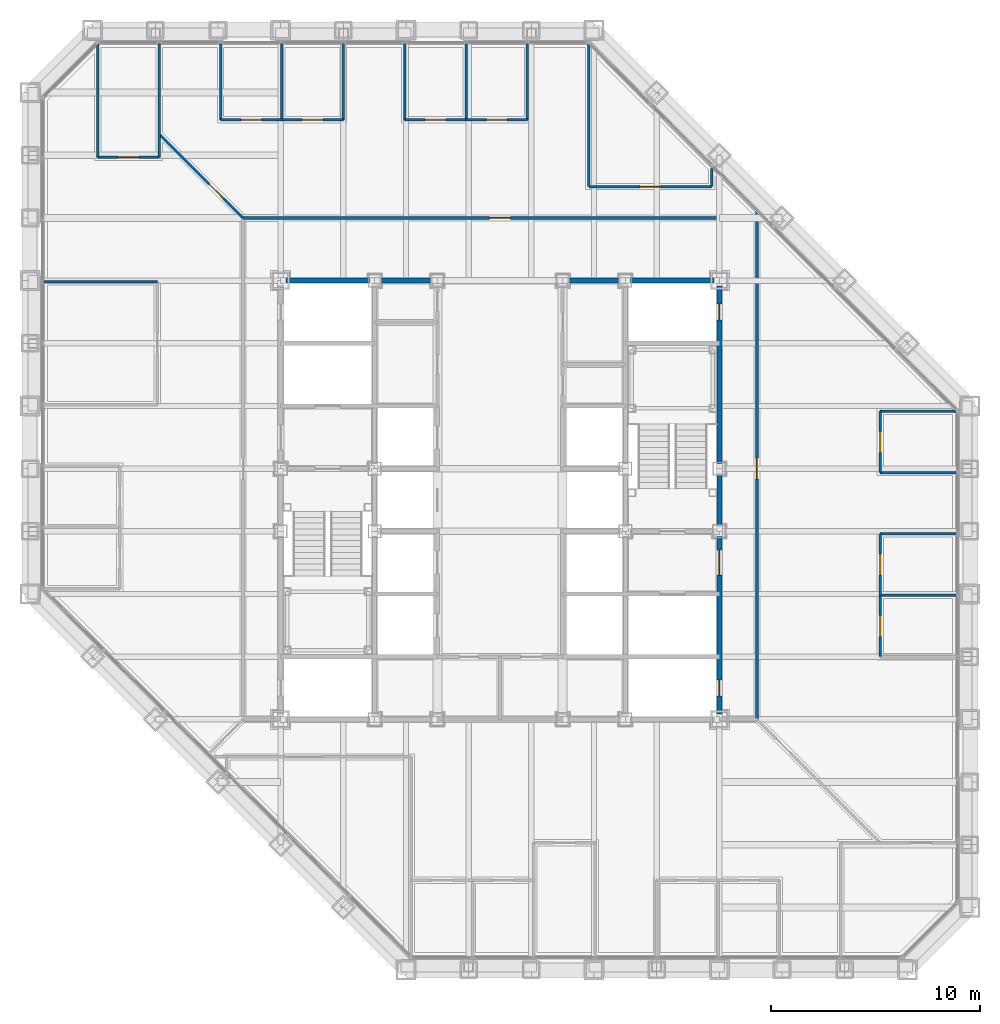
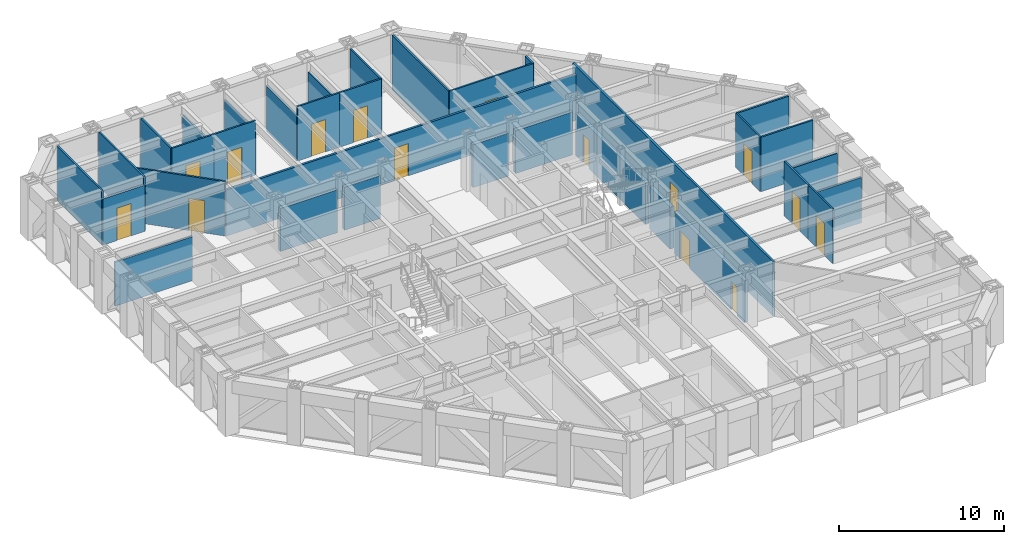
# One storey, part 12 of 17: 34 walls, 15 doors, 15 openings.
"""IFC4 building model written with IfcOpenShell, lengths in metres."""

from ifc_helpers import new_model, si_unit, direction, frame, frame_2d, origin, place, context, subcontext, project, spatial, rectangle, extrude, material, layer, layer_set, type_object, element, fill, save


model = new_model("IFC4")

# Units and contexts
model_context = context("Model", 3, precision=1e-05, world=origin(), true_north=direction((0.0, 1.0)))
body_context = subcontext(model_context, "Body", "Model", "MODEL_VIEW")
ifc_project = project(units=[si_unit("LENGTHUNIT", "METRE"), si_unit("AREAUNIT", "SQUARE_METRE"), si_unit("VOLUMEUNIT", "CUBIC_METRE"), si_unit("PLANEANGLEUNIT", "RADIAN"), si_unit("MASSUNIT", "GRAM", prefix="KILO")], contexts=[model_context])

# Site, building, storey
site_placement = place(None, origin())
site = spatial("IfcSite", under=ifc_project, at=site_placement, CompositionType="ELEMENT")
building_placement = place(site_placement, origin())
building = spatial("IfcBuilding", under=site, at=building_placement, Name="Chuquiago Exchange Tower", CompositionType="ELEMENT")
storey_placement = place(building_placement, frame((0.0, 0.0, 165.60009765625)))
storey = spatial("IfcBuildingStorey", under=building, at=storey_placement, Name="L36", CompositionType="ELEMENT", Elevation=165.60009765625)

# Walls
ifc_material_1 = material(Name="Concrete masonry, fully grouted", Category="masonry")
ifc_layer_1 = layer(ifc_material_1, 0.25)
ifc_layer_set_1 = layer_set([ifc_layer_1], Name="W1 core wall 250")
wall_type_1 = type_object("IfcWallType", Name="W1 core wall 250", PredefinedType="SOLIDWALL", material=ifc_layer_set_1)
wall_1_placement = place(storey_placement, frame((12.25, 33.0, 0.0), z_axis=(0.0, 0.0, 1.0), x_axis=(1.0, 0.0, 0.0)))
element("IfcWall", 1, at=wall_1_placement, inside=storey, type_object=wall_type_1, Name="CW-L36-11-0", PredefinedType="SOLIDWALL", context=body_context, shape_type="SweptSolid", body=[
    extrude(rectangle(XDim=4.0, YDim=0.25, at=frame_2d((2.0, 0.0))), origin(), (0.0, 0.0, 1.0), 3.181396484375),
])
for number, where, z_axis, x_axis, name in (
    (2, (16.75, 33.0, 0.0), (0.0, 0.0, 1.0), (1.0, 0.0, 0.0), "CW-L36-11-1"),
    (3, (25.75, 33.0, 0.0), (0.0, 0.0, 1.0), (1.0, 0.0, 0.0), "CW-L36-12-0"),
):
    element("IfcWall", number, at=place(storey_placement, frame(where, z_axis=z_axis, x_axis=x_axis)), inside=storey, type_object=wall_type_1, Name=name, PredefinedType="SOLIDWALL", context=body_context, shape_type="SweptSolid", body=[
        extrude(rectangle(XDim=2.5, YDim=0.25, at=frame_2d((1.25, 0.0))), origin(), (0.0, 0.0, 1.0), 3.181396484375),
    ])
wall_2_placement = place(storey_placement, frame((28.75, 33.0, 0.0), z_axis=(0.0, 0.0, 1.0), x_axis=(1.0, 0.0, 0.0)))
element("IfcWall", 4, at=wall_2_placement, inside=storey, type_object=wall_type_1, Name="CW-L36-12-1", PredefinedType="SOLIDWALL", context=body_context, shape_type="SweptSolid", body=[
    extrude(rectangle(XDim=4.0, YDim=0.25, at=frame_2d((2.0, 0.0))), origin(), (0.0, 0.0, 1.0), 3.181396484375),
])

# Wall, openings, doors
wall_3_placement = place(storey_placement, frame((33.0, 12.25, 0.0), z_axis=(0.0, 0.0, 1.0), x_axis=(0.0, 1.0, 0.0)))
wall_3 = element("IfcWall", 5, at=wall_3_placement, inside=storey, type_object=wall_type_1, Name="CW-L36-25-0", PredefinedType="SOLIDWALL", context=body_context, shape_type="SweptSolid", body=[
    extrude(rectangle(XDim=8.5, YDim=0.25, at=frame_2d((4.25, 0.0))), origin(), (0.0, 0.0, 1.0), 3.11279296875),
])
opening_1_placement = place(wall_3_placement, frame((6.64990234375, 0.0, 0.0)))
opening_1 = element("IfcOpeningElement", 6, at=opening_1_placement, cuts=wall_3, Name="Opening L36-004", PredefinedType="OPENING", context=body_context, shape_type="SweptSolid", body=[
    extrude(rectangle(XDim=1.199951171875, YDim=2.10009765625, at=frame_2d((0.60009765625, 1.050048828125))), frame((0.0, 0.135009765625, 0.0), z_axis=(0.0, -1.0, 0.0), x_axis=(1.0, 0.0, 0.0)), (0.0, 0.0, 1.0), 0.27001953125),
])
opening_2_placement = place(wall_3_placement, frame((0.875, 0.0, 0.0)))
opening_2 = element("IfcOpeningElement", 7, at=opening_2_placement, cuts=wall_3, Name="Opening L36-009", PredefinedType="OPENING", context=body_context, shape_type="SweptSolid", body=[
    extrude(rectangle(XDim=0.75, YDim=2.10009765625, at=frame_2d((0.375, 1.050048828125))), frame((0.0, 0.135009765625, 0.0), z_axis=(0.0, -1.0, 0.0), x_axis=(1.0, 0.0, 0.0)), (0.0, 0.0, 1.0), 0.27001953125),
])
ifc_material_2 = material(Name="Steel door, painted", Category="steel")
door_type_1 = type_object("IfcDoorType", Name="D5 firefighting lobby door 1200x2100", OperationType="SINGLE_SWING_LEFT", PredefinedType="DOOR", material=ifc_material_2)
door_1_placement = place(opening_1_placement, origin())
door_1 = element("IfcDoor", 8, at=door_1_placement, inside=storey, type_object=door_type_1, Name="Firefighting lobby 2 door", OperationType="SINGLE_SWING_RIGHT", OverallHeight=2.10009765625, OverallWidth=1.199951171875, PredefinedType="DOOR", context=body_context, shape_type="SweptSolid", body=[
    extrude(rectangle(XDim=1.199951171875, YDim=2.10009765625, at=frame_2d((0.60009765625, 1.050048828125))), frame((0.0, 0.02490234375, 0.0), z_axis=(0.0, -1.0, 0.0), x_axis=(1.0, 0.0, 0.0)), (0.0, 0.0, 1.0), 0.050048828125),
])
fill(opening_1, door_1)
ifc_material_3 = material(Name="Steel door, painted", Category="steel")
door_type_2 = type_object("IfcDoorType", Name="D6 riser access door 750x2100", OperationType="SINGLE_SWING_LEFT", PredefinedType="DOOR", material=ifc_material_3)
door_2_placement = place(opening_2_placement, origin())
door_2 = element("IfcDoor", 9, at=door_2_placement, inside=storey, type_object=door_type_2, Name="Riser RE1 door", OperationType="SINGLE_SWING_LEFT", OverallHeight=2.10009765625, OverallWidth=0.75, PredefinedType="DOOR", context=body_context, shape_type="SweptSolid", body=[
    extrude(rectangle(XDim=0.75, YDim=2.10009765625, at=frame_2d((0.375, 1.050048828125))), frame((0.0, 0.02490234375, 0.0), z_axis=(0.0, -1.0, 0.0), x_axis=(1.0, 0.0, 0.0)), (0.0, 0.0, 1.0), 0.050048828125),
])
fill(opening_2, door_2)

# Wall
wall_4_placement = place(storey_placement, frame((33.0, 21.25, 0.0), z_axis=(0.0, 0.0, 1.0), x_axis=(0.0, 1.0, 0.0)))
element("IfcWall", 10, at=wall_4_placement, inside=storey, type_object=wall_type_1, Name="CW-L36-25-1", PredefinedType="SOLIDWALL", context=body_context, shape_type="SweptSolid", body=[
    extrude(rectangle(XDim=2.5, YDim=0.25, at=frame_2d((1.25, 0.0))), origin(), (0.0, 0.0, 1.0), 3.11279296875),
])

# Wall, opening, door
wall_5_placement = place(storey_placement, frame((33.0, 24.25, 0.0), z_axis=(0.0, 0.0, 1.0), x_axis=(0.0, 1.0, 0.0)))
wall_5 = element("IfcWall", 11, at=wall_5_placement, inside=storey, type_object=wall_type_1, Name="CW-L36-25-2", PredefinedType="SOLIDWALL", context=body_context, shape_type="SweptSolid", body=[
    extrude(rectangle(XDim=8.5, YDim=0.25, at=frame_2d((4.25, 0.0))), origin(), (0.0, 0.0, 1.0), 3.11279296875),
])
opening_3_placement = place(wall_5_placement, frame((6.875, 0.0, 0.0)))
opening_3 = element("IfcOpeningElement", 12, at=opening_3_placement, cuts=wall_5, Name="Opening L36-010", PredefinedType="OPENING", context=body_context, shape_type="SweptSolid", body=[
    extrude(rectangle(XDim=0.75, YDim=2.10009765625, at=frame_2d((0.375, 1.050048828125))), frame((0.0, 0.135009765625, 0.0), z_axis=(0.0, -1.0, 0.0), x_axis=(1.0, 0.0, 0.0)), (0.0, 0.0, 1.0), 0.27001953125),
])
door_3_placement = place(opening_3_placement, origin())
door_3 = element("IfcDoor", 13, at=door_3_placement, inside=storey, type_object=door_type_2, Name="Riser RE2 door", OperationType="SINGLE_SWING_RIGHT", OverallHeight=2.10009765625, OverallWidth=0.75, PredefinedType="DOOR", context=body_context, shape_type="SweptSolid", body=[
    extrude(rectangle(XDim=0.75, YDim=2.10009765625, at=frame_2d((0.375, 1.050048828125))), frame((0.0, 0.02490234375, 0.0), z_axis=(0.0, -1.0, 0.0), x_axis=(1.0, 0.0, 0.0)), (0.0, 0.0, 1.0), 0.050048828125),
])
fill(opening_3, door_3)

ifc_material_4 = material(Name="Gypsum board on steel studs, acoustic insulation", Category="steel")
ifc_layer_2 = layer(ifc_material_4, 0.14990234375)
ifc_layer_set_2 = layer_set([ifc_layer_2], Name="W11 corridor wall 150")
wall_type_2 = type_object("IfcWallType", Name="W11 corridor wall 150", PredefinedType="PARTITIONING", material=ifc_layer_set_2)
wall_6_placement = place(storey_placement, frame((10.199951171875, 36.0, 0.0), z_axis=(0.0, 0.0, 1.0), x_axis=(1.0, 0.0, 0.0)))
wall_6 = element("IfcWall", 14, at=wall_6_placement, inside=storey, type_object=wall_type_2, Name="PW-L36-GN0", PredefinedType="PARTITIONING", context=body_context, shape_type="SweptSolid", body=[
    extrude(rectangle(XDim=24.91455078125, YDim=0.14990234375, at=frame_2d((12.457275390625, 0.0))), origin(), (0.0, 0.0, 1.0), 3.427734375),
])
opening_4_placement = place(wall_6_placement, frame((11.800048828125, 0.0, 0.0)))
opening_4 = element("IfcOpeningElement", 15, at=opening_4_placement, cuts=wall_6, Name="Opening L36-040", PredefinedType="OPENING", context=body_context, shape_type="SweptSolid", body=[
    extrude(rectangle(XDim=1.0, YDim=2.39990234375, at=frame_2d((0.5, 1.199951171875))), frame((0.0, 0.0849609375, 0.0), z_axis=(0.0, -1.0, 0.0), x_axis=(1.0, 0.0, 0.0)), (0.0, 0.0, 1.0), 0.169921875),
])
ifc_material_5 = material(Name="Timber door, laminate faced", Category="wood")
door_type_3 = type_object("IfcDoorType", Name="D9 room door 1000x2400", OperationType="SINGLE_SWING_LEFT", PredefinedType="DOOR", material=ifc_material_5)
door_4_placement = place(opening_4_placement, origin())
door_4 = element("IfcDoor", 16, at=door_4_placement, inside=storey, type_object=door_type_3, Name="Team area door", OperationType="SINGLE_SWING_LEFT", OverallHeight=2.39990234375, OverallWidth=1.0, PredefinedType="DOOR", context=body_context, shape_type="SweptSolid", body=[
    extrude(rectangle(XDim=1.0, YDim=2.39990234375, at=frame_2d((0.5, 1.199951171875))), frame((0.0, 0.02490234375, 0.0), z_axis=(0.0, -1.0, 0.0), x_axis=(1.0, 0.0, 0.0)), (0.0, 0.0, 1.0), 0.050048828125),
])
fill(opening_4, door_4)

wall_7_placement = place(storey_placement, frame((34.800048828125, 12.0, 0.0), z_axis=(0.0, 0.0, 1.0), x_axis=(0.0, 1.0, 0.0)))
wall_7 = element("IfcWall", 17, at=wall_7_placement, inside=storey, type_object=wall_type_2, Name="PW-L36-GE0", PredefinedType="PARTITIONING", context=body_context, shape_type="SweptSolid", body=[
    extrude(rectangle(XDim=24.314453125, YDim=0.14990234375, at=frame_2d((12.1572265625, 0.0))), origin(), (0.0, 0.0, 1.0), 4.039794921875),
])
opening_5_placement = place(wall_7_placement, frame((11.5, 0.0, 0.0)))
opening_5 = element("IfcOpeningElement", 18, at=opening_5_placement, cuts=wall_7, Name="Opening L36-042", PredefinedType="OPENING", context=body_context, shape_type="SweptSolid", body=[
    extrude(rectangle(XDim=1.0, YDim=2.39990234375, at=frame_2d((0.5, 1.199951171875))), frame((0.0, 0.0849609375, 0.0), z_axis=(0.0, -1.0, 0.0), x_axis=(1.0, 0.0, 0.0)), (0.0, 0.0, 1.0), 0.169921875),
])
door_5_placement = place(opening_5_placement, frame((1.0, 0.0, 0.0), z_axis=(0.0, 0.0, 1.0), x_axis=(-1.0, 0.0, 0.0)))
door_5 = element("IfcDoor", 19, at=door_5_placement, inside=storey, type_object=door_type_3, Name="Team area door", OperationType="SINGLE_SWING_RIGHT", OverallHeight=2.39990234375, OverallWidth=1.0, PredefinedType="DOOR", context=body_context, shape_type="SweptSolid", body=[
    extrude(rectangle(XDim=1.0, YDim=2.39990234375, at=frame_2d((0.5, 1.199951171875))), frame((0.0, 0.02490234375, 0.0), z_axis=(0.0, -1.0, 0.0), x_axis=(1.0, 0.0, 0.0)), (0.0, 0.0, 1.0), 0.050048828125),
])
fill(opening_5, door_5)

# Walls
ifc_material_6 = material(Name="Gypsum board on steel studs", Category="steel")
ifc_layer_3 = layer(ifc_material_6, 0.1201171875)
ifc_layer_set_3 = layer_set([ifc_layer_3], Name="W4 partition 120")
wall_type_3 = type_object("IfcWallType", Name="W4 partition 120", PredefinedType="PARTITIONING", material=ifc_layer_set_3)
for number, where, z_axis, x_axis, name in (
    (20, (44.347412109375, 17.93798828125, 0.0), (0.0, 0.0, 1.0), (-1.0, 0.0, 0.0), "PW-L36-E01794"),
    (21, (44.347412109375, 20.875732421875, 0.0), (0.0, 0.0, 1.0), (-1.0, 0.0, 0.0), "PW-L36-E02088"),
):
    element("IfcWall", number, at=place(storey_placement, frame(where, z_axis=z_axis, x_axis=x_axis)), inside=storey, type_object=wall_type_3, Name=name, PredefinedType="PARTITIONING", context=body_context, shape_type="SweptSolid", body=[
        extrude(rectangle(XDim=3.6474609375, YDim=0.1201171875, at=frame_2d((1.82373046875, 0.0))), origin(), (0.0, 0.0, 1.0), 3.356689453125),
    ])
wall_8_placement = place(storey_placement, frame((44.347412109375, 23.813720703125, 0.0), z_axis=(0.0, 0.0, 1.0), x_axis=(-1.0, 0.0, 0.0)))
element("IfcWall", 22, at=wall_8_placement, inside=storey, type_object=wall_type_3, Name="PW-L36-E02381", PredefinedType="PARTITIONING", context=body_context, shape_type="SweptSolid", body=[
    extrude(rectangle(XDim=3.6474609375, YDim=0.1201171875, at=frame_2d((1.82373046875, 0.0))), origin(), (0.0, 0.0, 1.0), 4.039794921875),
])
wall_9_placement = place(storey_placement, frame((44.333984375, 26.75146484375, 0.0), z_axis=(0.0, 0.0, 1.0), x_axis=(-1.0, 0.0, 0.0)))
element("IfcWall", 23, at=wall_9_placement, inside=storey, type_object=wall_type_3, Name="PW-L36-E02675", PredefinedType="PARTITIONING", context=body_context, shape_type="SweptSolid", body=[
    extrude(rectangle(XDim=3.634033203125, YDim=0.1201171875, at=frame_2d((1.81689453125, 0.0))), origin(), (0.0, 0.0, 1.0), 4.039794921875),
])

# Wall, opening, door
wall_10_placement = place(storey_placement, frame((40.699951171875, 15.0, 0.0), z_axis=(0.0, 0.0, 1.0), x_axis=(0.0, 1.0, 0.0)))
wall_10 = element("IfcWall", 24, at=wall_10_placement, inside=storey, type_object=wall_type_3, Name="PW-L36-EF01500", PredefinedType="PARTITIONING", context=body_context, shape_type="SweptSolid", body=[
    extrude(rectangle(XDim=2.93798828125, YDim=0.1201171875, at=frame_2d((1.468994140625, 0.0))), origin(), (0.0, 0.0, 1.0), 4.039794921875),
])
opening_6_placement = place(wall_10_placement, frame((0.968994140625, 0.0, 0.0)))
opening_6 = element("IfcOpeningElement", 25, at=opening_6_placement, cuts=wall_10, Name="Opening L36-028", PredefinedType="OPENING", context=body_context, shape_type="SweptSolid", body=[
    extrude(rectangle(XDim=1.0, YDim=2.39990234375, at=frame_2d((0.5, 1.199951171875))), frame((0.0, 0.070068359375, 0.0), z_axis=(0.0, -1.0, 0.0), x_axis=(1.0, 0.0, 0.0)), (0.0, 0.0, 1.0), 0.14013671875),
])
ifc_material_7 = material(Name="Timber frame door, full height glazed panel", Category="wood")
door_type_4 = type_object("IfcDoorType", Name="D14 glazed meeting room door 1000x2400", OperationType="SINGLE_SWING_LEFT", PredefinedType="DOOR", material=ifc_material_7)
door_6_placement = place(opening_6_placement, frame((1.0, 0.0, 0.0), z_axis=(0.0, 0.0, 1.0), x_axis=(-1.0, 0.0, 0.0)))
door_6 = element("IfcDoor", 26, at=door_6_placement, inside=storey, type_object=door_type_4, Name="Focus room door", OperationType="SINGLE_SWING_RIGHT", OverallHeight=2.39990234375, OverallWidth=1.0, PredefinedType="DOOR", context=body_context, shape_type="SweptSolid", body=[
    extrude(rectangle(XDim=1.0, YDim=2.39990234375, at=frame_2d((0.5, 1.199951171875))), frame((0.0, 0.02490234375, 0.0), z_axis=(0.0, -1.0, 0.0), x_axis=(1.0, 0.0, 0.0)), (0.0, 0.0, 1.0), 0.050048828125),
])
fill(opening_6, door_6)

wall_11_placement = place(storey_placement, frame((40.699951171875, 17.93798828125, 0.0), z_axis=(0.0, 0.0, 1.0), x_axis=(0.0, 1.0, 0.0)))
wall_11 = element("IfcWall", 27, at=wall_11_placement, inside=storey, type_object=wall_type_3, Name="PW-L36-EF01794", PredefinedType="PARTITIONING", context=body_context, shape_type="SweptSolid", body=[
    extrude(rectangle(XDim=2.937744140625, YDim=0.1201171875, at=frame_2d((1.46875, 0.0))), origin(), (0.0, 0.0, 1.0), 4.039794921875),
])
opening_7_placement = place(wall_11_placement, frame((0.968994140625, 0.0, 0.0)))
opening_7 = element("IfcOpeningElement", 28, at=opening_7_placement, cuts=wall_11, Name="Opening L36-029", PredefinedType="OPENING", context=body_context, shape_type="SweptSolid", body=[
    extrude(rectangle(XDim=1.0, YDim=2.39990234375, at=frame_2d((0.5, 1.199951171875))), frame((0.0, 0.070068359375, 0.0), z_axis=(0.0, -1.0, 0.0), x_axis=(1.0, 0.0, 0.0)), (0.0, 0.0, 1.0), 0.14013671875),
])
door_7_placement = place(opening_7_placement, frame((1.0, 0.0, 0.0), z_axis=(0.0, 0.0, 1.0), x_axis=(-1.0, 0.0, 0.0)))
door_7 = element("IfcDoor", 29, at=door_7_placement, inside=storey, type_object=door_type_4, Name="Focus room door", OperationType="SINGLE_SWING_LEFT", OverallHeight=2.39990234375, OverallWidth=1.0, PredefinedType="DOOR", context=body_context, shape_type="SweptSolid", body=[
    extrude(rectangle(XDim=1.0, YDim=2.39990234375, at=frame_2d((0.5, 1.199951171875))), frame((0.0, 0.02490234375, 0.0), z_axis=(0.0, -1.0, 0.0), x_axis=(1.0, 0.0, 0.0)), (0.0, 0.0, 1.0), 0.050048828125),
])
fill(opening_7, door_7)

wall_12_placement = place(storey_placement, frame((40.699951171875, 23.813720703125, 0.0), z_axis=(0.0, 0.0, 1.0), x_axis=(0.0, 1.0, 0.0)))
wall_12 = element("IfcWall", 30, at=wall_12_placement, inside=storey, type_object=wall_type_3, Name="PW-L36-EF02381", PredefinedType="PARTITIONING", context=body_context, shape_type="SweptSolid", body=[
    extrude(rectangle(XDim=2.937744140625, YDim=0.1201171875, at=frame_2d((1.46875, 0.0))), origin(), (0.0, 0.0, 1.0), 4.039794921875),
])
opening_8_placement = place(wall_12_placement, frame((0.968994140625, 0.0, 0.0)))
opening_8 = element("IfcOpeningElement", 31, at=opening_8_placement, cuts=wall_12, Name="Opening L36-030", PredefinedType="OPENING", context=body_context, shape_type="SweptSolid", body=[
    extrude(rectangle(XDim=1.0, YDim=2.39990234375, at=frame_2d((0.5, 1.199951171875))), frame((0.0, 0.070068359375, 0.0), z_axis=(0.0, -1.0, 0.0), x_axis=(1.0, 0.0, 0.0)), (0.0, 0.0, 1.0), 0.14013671875),
])
door_8_placement = place(opening_8_placement, frame((1.0, 0.0, 0.0), z_axis=(0.0, 0.0, 1.0), x_axis=(-1.0, 0.0, 0.0)))
door_8 = element("IfcDoor", 32, at=door_8_placement, inside=storey, type_object=door_type_4, Name="Focus room door", OperationType="SINGLE_SWING_RIGHT", OverallHeight=2.39990234375, OverallWidth=1.0, PredefinedType="DOOR", context=body_context, shape_type="SweptSolid", body=[
    extrude(rectangle(XDim=1.0, YDim=2.39990234375, at=frame_2d((0.5, 1.199951171875))), frame((0.0, 0.02490234375, 0.0), z_axis=(0.0, -1.0, 0.0), x_axis=(1.0, 0.0, 0.0)), (0.0, 0.0, 1.0), 0.050048828125),
])
fill(opening_8, door_8)

# Walls
wall_13_placement = place(storey_placement, frame((3.24853515625, 44.333984375, 0.0), z_axis=(0.0, 0.0, 1.0), x_axis=(0.0, -1.0, 0.0)))
element("IfcWall", 33, at=wall_13_placement, inside=storey, type_object=wall_type_3, Name="PW-L36-N00325", PredefinedType="PARTITIONING", context=body_context, shape_type="SweptSolid", body=[
    extrude(rectangle(XDim=5.43408203125, YDim=0.1201171875, at=frame_2d((2.717041015625, 0.0))), origin(), (0.0, 0.0, 1.0), 4.039794921875),
])
wall_14_placement = place(storey_placement, frame((6.186279296875, 44.347412109375, 0.0), z_axis=(0.0, 0.0, 1.0), x_axis=(0.0, -1.0, 0.0)))
element("IfcWall", 34, at=wall_14_placement, inside=storey, type_object=wall_type_3, Name="PW-L36-N00619", PredefinedType="PARTITIONING", context=body_context, shape_type="SweptSolid", body=[
    extrude(rectangle(XDim=5.447509765625, YDim=0.1201171875, at=frame_2d((2.7236328125, 0.0))), origin(), (0.0, 0.0, 1.0), 4.039794921875),
])
wall_15_placement = place(storey_placement, frame((9.124267578125, 44.347412109375, 0.0), z_axis=(0.0, 0.0, 1.0), x_axis=(0.0, -1.0, 0.0)))
element("IfcWall", 35, at=wall_15_placement, inside=storey, type_object=wall_type_3, Name="PW-L36-N00912", PredefinedType="PARTITIONING", context=body_context, shape_type="SweptSolid", body=[
    extrude(rectangle(XDim=3.6474609375, YDim=0.1201171875, at=frame_2d((1.82373046875, 0.0))), origin(), (0.0, 0.0, 1.0), 4.039794921875),
])
wall_16_placement = place(storey_placement, frame((12.06201171875, 44.347412109375, 0.0), z_axis=(0.0, 0.0, 1.0), x_axis=(0.0, -1.0, 0.0)))
element("IfcWall", 36, at=wall_16_placement, inside=storey, type_object=wall_type_3, Name="PW-L36-N01206", PredefinedType="PARTITIONING", context=body_context, shape_type="SweptSolid", body=[
    extrude(rectangle(XDim=3.6474609375, YDim=0.1201171875, at=frame_2d((1.82373046875, 0.0))), origin(), (0.0, 0.0, 1.0), 3.270263671875),
])
for number, where, z_axis, x_axis, name in (
    (37, (15.0, 44.347412109375, 0.0), (0.0, 0.0, 1.0), (0.0, -1.0, 0.0), "PW-L36-N01500"),
    (38, (17.93798828125, 44.347412109375, 0.0), (0.0, 0.0, 1.0), (0.0, -1.0, 0.0), "PW-L36-N01794"),
    (39, (20.875732421875, 44.347412109375, 0.0), (0.0, 0.0, 1.0), (0.0, -1.0, 0.0), "PW-L36-N02088"),
):
    element("IfcWall", number, at=place(storey_placement, frame(where, z_axis=z_axis, x_axis=x_axis)), inside=storey, type_object=wall_type_3, Name=name, PredefinedType="PARTITIONING", context=body_context, shape_type="SweptSolid", body=[
        extrude(rectangle(XDim=3.6474609375, YDim=0.1201171875, at=frame_2d((1.82373046875, 0.0))), origin(), (0.0, 0.0, 1.0), 3.356689453125),
    ])
wall_17_placement = place(storey_placement, frame((23.813720703125, 44.347412109375, 0.0), z_axis=(0.0, 0.0, 1.0), x_axis=(0.0, -1.0, 0.0)))
element("IfcWall", 40, at=wall_17_placement, inside=storey, type_object=wall_type_3, Name="PW-L36-N02381", PredefinedType="PARTITIONING", context=body_context, shape_type="SweptSolid", body=[
    extrude(rectangle(XDim=3.6474609375, YDim=0.1201171875, at=frame_2d((1.82373046875, 0.0))), origin(), (0.0, 0.0, 1.0), 4.039794921875),
])
wall_18_placement = place(storey_placement, frame((26.75146484375, 44.333984375, 0.0), z_axis=(0.0, 0.0, 1.0), x_axis=(0.0, -1.0, 0.0)))
element("IfcWall", 41, at=wall_18_placement, inside=storey, type_object=wall_type_3, Name="PW-L36-N02675", PredefinedType="PARTITIONING", context=body_context, shape_type="SweptSolid", body=[
    extrude(rectangle(XDim=6.833984375, YDim=0.1201171875, at=frame_2d((3.4169921875, 0.0))), origin(), (0.0, 0.0, 1.0), 4.039794921875),
])
wall_19_placement = place(storey_placement, frame((32.63427734375, 38.375732421875, 0.0), z_axis=(0.0, 0.0, 1.0), x_axis=(0.0, -1.0, 0.0)))
element("IfcWall", 42, at=wall_19_placement, inside=storey, type_object=wall_type_3, Name="PW-L36-N03263", PredefinedType="PARTITIONING", context=body_context, shape_type="SweptSolid", body=[
    extrude(rectangle(XDim=0.875732421875, YDim=0.1201171875, at=frame_2d((0.43798828125, 0.0))), origin(), (0.0, 0.0, 1.0), 4.039794921875),
])

# Wall, opening, door
wall_20_placement = place(storey_placement, frame((3.24853515625, 38.89990234375, 0.0), z_axis=(0.0, 0.0, 1.0), x_axis=(1.0, 0.0, 0.0)))
wall_20 = element("IfcWall", 43, at=wall_20_placement, inside=storey, type_object=wall_type_3, Name="PW-L36-NF00325", PredefinedType="PARTITIONING", context=body_context, shape_type="SweptSolid", body=[
    extrude(rectangle(XDim=2.937744140625, YDim=0.1201171875, at=frame_2d((1.46875, 0.0))), origin(), (0.0, 0.0, 1.0), 3.427734375),
])
opening_9_placement = place(wall_20_placement, frame((0.968994140625, 0.0, 0.0)))
opening_9 = element("IfcOpeningElement", 44, at=opening_9_placement, cuts=wall_20, Name="Opening L36-031", PredefinedType="OPENING", context=body_context, shape_type="SweptSolid", body=[
    extrude(rectangle(XDim=1.0, YDim=2.39990234375, at=frame_2d((0.5, 1.199951171875))), frame((0.0, 0.070068359375, 0.0), z_axis=(0.0, -1.0, 0.0), x_axis=(1.0, 0.0, 0.0)), (0.0, 0.0, 1.0), 0.14013671875),
])
door_9_placement = place(opening_9_placement, origin())
door_9 = element("IfcDoor", 45, at=door_9_placement, inside=storey, type_object=door_type_3, Name="Office door", OperationType="SINGLE_SWING_LEFT", OverallHeight=2.39990234375, OverallWidth=1.0, PredefinedType="DOOR", context=body_context, shape_type="SweptSolid", body=[
    extrude(rectangle(XDim=1.0, YDim=2.39990234375, at=frame_2d((0.5, 1.199951171875))), frame((0.0, 0.02490234375, 0.0), z_axis=(0.0, -1.0, 0.0), x_axis=(1.0, 0.0, 0.0)), (0.0, 0.0, 1.0), 0.050048828125),
])
fill(opening_9, door_9)

wall_21_placement = place(storey_placement, frame((9.124267578125, 40.699951171875, 0.0), z_axis=(0.0, 0.0, 1.0), x_axis=(1.0, 0.0, 0.0)))
wall_21 = element("IfcWall", 46, at=wall_21_placement, inside=storey, type_object=wall_type_3, Name="PW-L36-NF00912", PredefinedType="PARTITIONING", context=body_context, shape_type="SweptSolid", body=[
    extrude(rectangle(XDim=2.937744140625, YDim=0.1201171875, at=frame_2d((1.46875, 0.0))), origin(), (0.0, 0.0, 1.0), 4.039794921875),
])
opening_10_placement = place(wall_21_placement, frame((0.968994140625, 0.0, 0.0)))
opening_10 = element("IfcOpeningElement", 47, at=opening_10_placement, cuts=wall_21, Name="Opening L36-032", PredefinedType="OPENING", context=body_context, shape_type="SweptSolid", body=[
    extrude(rectangle(XDim=1.0, YDim=2.39990234375, at=frame_2d((0.5, 1.199951171875))), frame((0.0, 0.070068359375, 0.0), z_axis=(0.0, -1.0, 0.0), x_axis=(1.0, 0.0, 0.0)), (0.0, 0.0, 1.0), 0.14013671875),
])
door_10_placement = place(opening_10_placement, origin())
door_10 = element("IfcDoor", 48, at=door_10_placement, inside=storey, type_object=door_type_4, Name="Focus room door", OperationType="SINGLE_SWING_RIGHT", OverallHeight=2.39990234375, OverallWidth=1.0, PredefinedType="DOOR", context=body_context, shape_type="SweptSolid", body=[
    extrude(rectangle(XDim=1.0, YDim=2.39990234375, at=frame_2d((0.5, 1.199951171875))), frame((0.0, 0.02490234375, 0.0), z_axis=(0.0, -1.0, 0.0), x_axis=(1.0, 0.0, 0.0)), (0.0, 0.0, 1.0), 0.050048828125),
])
fill(opening_10, door_10)

wall_22_placement = place(storey_placement, frame((12.06201171875, 40.699951171875, 0.0), z_axis=(0.0, 0.0, 1.0), x_axis=(1.0, 0.0, 0.0)))
wall_22 = element("IfcWall", 49, at=wall_22_placement, inside=storey, type_object=wall_type_3, Name="PW-L36-NF01206", PredefinedType="PARTITIONING", context=body_context, shape_type="SweptSolid", body=[
    extrude(rectangle(XDim=2.93798828125, YDim=0.1201171875, at=frame_2d((1.468994140625, 0.0))), origin(), (0.0, 0.0, 1.0), 4.039794921875),
])
opening_11_placement = place(wall_22_placement, frame((0.968994140625, 0.0, 0.0)))
opening_11 = element("IfcOpeningElement", 50, at=opening_11_placement, cuts=wall_22, Name="Opening L36-033", PredefinedType="OPENING", context=body_context, shape_type="SweptSolid", body=[
    extrude(rectangle(XDim=1.0, YDim=2.39990234375, at=frame_2d((0.5, 1.199951171875))), frame((0.0, 0.070068359375, 0.0), z_axis=(0.0, -1.0, 0.0), x_axis=(1.0, 0.0, 0.0)), (0.0, 0.0, 1.0), 0.14013671875),
])
door_11_placement = place(opening_11_placement, origin())
door_11 = element("IfcDoor", 51, at=door_11_placement, inside=storey, type_object=door_type_4, Name="Focus room door", OperationType="SINGLE_SWING_RIGHT", OverallHeight=2.39990234375, OverallWidth=1.0, PredefinedType="DOOR", context=body_context, shape_type="SweptSolid", body=[
    extrude(rectangle(XDim=1.0, YDim=2.39990234375, at=frame_2d((0.5, 1.199951171875))), frame((0.0, 0.02490234375, 0.0), z_axis=(0.0, -1.0, 0.0), x_axis=(1.0, 0.0, 0.0)), (0.0, 0.0, 1.0), 0.050048828125),
])
fill(opening_11, door_11)

wall_23_placement = place(storey_placement, frame((17.93798828125, 40.699951171875, 0.0), z_axis=(0.0, 0.0, 1.0), x_axis=(1.0, 0.0, 0.0)))
wall_23 = element("IfcWall", 52, at=wall_23_placement, inside=storey, type_object=wall_type_3, Name="PW-L36-NF01794", PredefinedType="PARTITIONING", context=body_context, shape_type="SweptSolid", body=[
    extrude(rectangle(XDim=2.937744140625, YDim=0.1201171875, at=frame_2d((1.46875, 0.0))), origin(), (0.0, 0.0, 1.0), 4.039794921875),
])
opening_12_placement = place(wall_23_placement, frame((0.968994140625, 0.0, 0.0)))
opening_12 = element("IfcOpeningElement", 53, at=opening_12_placement, cuts=wall_23, Name="Opening L36-034", PredefinedType="OPENING", context=body_context, shape_type="SweptSolid", body=[
    extrude(rectangle(XDim=1.0, YDim=2.39990234375, at=frame_2d((0.5, 1.199951171875))), frame((0.0, 0.070068359375, 0.0), z_axis=(0.0, -1.0, 0.0), x_axis=(1.0, 0.0, 0.0)), (0.0, 0.0, 1.0), 0.14013671875),
])
door_12_placement = place(opening_12_placement, origin())
door_12 = element("IfcDoor", 54, at=door_12_placement, inside=storey, type_object=door_type_4, Name="Focus room door", OperationType="SINGLE_SWING_RIGHT", OverallHeight=2.39990234375, OverallWidth=1.0, PredefinedType="DOOR", context=body_context, shape_type="SweptSolid", body=[
    extrude(rectangle(XDim=1.0, YDim=2.39990234375, at=frame_2d((0.5, 1.199951171875))), frame((0.0, 0.02490234375, 0.0), z_axis=(0.0, -1.0, 0.0), x_axis=(1.0, 0.0, 0.0)), (0.0, 0.0, 1.0), 0.050048828125),
])
fill(opening_12, door_12)

wall_24_placement = place(storey_placement, frame((20.875732421875, 40.699951171875, 0.0), z_axis=(0.0, 0.0, 1.0), x_axis=(1.0, 0.0, 0.0)))
wall_24 = element("IfcWall", 55, at=wall_24_placement, inside=storey, type_object=wall_type_3, Name="PW-L36-NF02088", PredefinedType="PARTITIONING", context=body_context, shape_type="SweptSolid", body=[
    extrude(rectangle(XDim=2.93798828125, YDim=0.1201171875, at=frame_2d((1.468994140625, 0.0))), origin(), (0.0, 0.0, 1.0), 4.039794921875),
])
opening_13_placement = place(wall_24_placement, frame((0.968994140625, 0.0, 0.0)))
opening_13 = element("IfcOpeningElement", 56, at=opening_13_placement, cuts=wall_24, Name="Opening L36-035", PredefinedType="OPENING", context=body_context, shape_type="SweptSolid", body=[
    extrude(rectangle(XDim=1.0, YDim=2.39990234375, at=frame_2d((0.5, 1.199951171875))), frame((0.0, 0.070068359375, 0.0), z_axis=(0.0, -1.0, 0.0), x_axis=(1.0, 0.0, 0.0)), (0.0, 0.0, 1.0), 0.14013671875),
])
door_13_placement = place(opening_13_placement, origin())
door_13 = element("IfcDoor", 57, at=door_13_placement, inside=storey, type_object=door_type_4, Name="Focus room door", OperationType="SINGLE_SWING_RIGHT", OverallHeight=2.39990234375, OverallWidth=1.0, PredefinedType="DOOR", context=body_context, shape_type="SweptSolid", body=[
    extrude(rectangle(XDim=1.0, YDim=2.39990234375, at=frame_2d((0.5, 1.199951171875))), frame((0.0, 0.02490234375, 0.0), z_axis=(0.0, -1.0, 0.0), x_axis=(1.0, 0.0, 0.0)), (0.0, 0.0, 1.0), 0.050048828125),
])
fill(opening_13, door_13)

wall_25_placement = place(storey_placement, frame((26.75146484375, 37.5, 0.0), z_axis=(0.0, 0.0, 1.0), x_axis=(1.0, 0.0, 0.0)))
wall_25 = element("IfcWall", 58, at=wall_25_placement, inside=storey, type_object=wall_type_3, Name="PW-L36-NF02675", PredefinedType="PARTITIONING", context=body_context, shape_type="SweptSolid", body=[
    extrude(rectangle(XDim=5.8828125, YDim=0.1201171875, at=frame_2d((2.94140625, 0.0))), origin(), (0.0, 0.0, 1.0), 4.039794921875),
])
opening_14_placement = place(wall_25_placement, frame((2.44140625, 0.0, 0.0)))
opening_14 = element("IfcOpeningElement", 59, at=opening_14_placement, cuts=wall_25, Name="Opening L36-036", PredefinedType="OPENING", context=body_context, shape_type="SweptSolid", body=[
    extrude(rectangle(XDim=1.0, YDim=2.39990234375, at=frame_2d((0.5, 1.199951171875))), frame((0.0, 0.070068359375, 0.0), z_axis=(0.0, -1.0, 0.0), x_axis=(1.0, 0.0, 0.0)), (0.0, 0.0, 1.0), 0.14013671875),
])
door_14_placement = place(opening_14_placement, origin())
door_14 = element("IfcDoor", 60, at=door_14_placement, inside=storey, type_object=door_type_4, Name="Conference room door", OperationType="SINGLE_SWING_LEFT", OverallHeight=2.39990234375, OverallWidth=1.0, PredefinedType="DOOR", context=body_context, shape_type="SweptSolid", body=[
    extrude(rectangle(XDim=1.0, YDim=2.39990234375, at=frame_2d((0.5, 1.199951171875))), frame((0.0, 0.02490234375, 0.0), z_axis=(0.0, -1.0, 0.0), x_axis=(1.0, 0.0, 0.0)), (0.0, 0.0, 1.0), 0.050048828125),
])
fill(opening_14, door_14)

# Wall
wall_26_placement = place(storey_placement, frame((0.652587890625, 32.93798828125, 0.0), z_axis=(0.0, 0.0, 1.0), x_axis=(1.0, 0.0, 0.0)))
element("IfcWall", 61, at=wall_26_placement, inside=storey, type_object=wall_type_3, Name="PW-L36-W03294", PredefinedType="PARTITIONING", context=body_context, shape_type="SweptSolid", body=[
    extrude(rectangle(XDim=5.447509765625, YDim=0.1201171875, at=frame_2d((2.7236328125, 0.0))), origin(), (0.0, 0.0, 1.0), 3.270263671875),
])

# Wall, opening, door
wall_27_placement = place(storey_placement, frame((10.199951171875, 36.0, 0.0), z_axis=(0.0, 0.0, 1.0), x_axis=(-0.707106781187, 0.707106781187, 0.0)))
wall_27 = element("IfcWall", 62, at=wall_27_placement, inside=storey, type_object=wall_type_3, Name="PW-L36-QNW", PredefinedType="PARTITIONING", context=body_context, shape_type="SweptSolid", body=[
    extrude(rectangle(XDim=5.677490234375, YDim=0.1201171875, at=frame_2d((2.8388671875, 0.0))), origin(), (0.0, 0.0, 1.0), 4.039794921875),
])
opening_15_placement = place(wall_27_placement, frame((1.300048828125, 0.0, 0.0)))
opening_15 = element("IfcOpeningElement", 63, at=opening_15_placement, cuts=wall_27, Name="Opening L36-043", PredefinedType="OPENING", context=body_context, shape_type="SweptSolid", body=[
    extrude(rectangle(XDim=1.0, YDim=2.39990234375, at=frame_2d((0.5, 1.199951171875))), frame((0.0, 0.070068359375, 0.0), z_axis=(0.0, -1.0, 0.0), x_axis=(1.0, 0.0, 0.0)), (0.0, 0.0, 1.0), 0.14013671875),
])
door_15_placement = place(opening_15_placement, origin())
door_15 = element("IfcDoor", 64, at=door_15_placement, inside=storey, type_object=door_type_3, Name="Team area door", OperationType="SINGLE_SWING_LEFT", OverallHeight=2.39990234375, OverallWidth=1.0, PredefinedType="DOOR", context=body_context, shape_type="SweptSolid", body=[
    extrude(rectangle(XDim=1.0, YDim=2.39990234375, at=frame_2d((0.5, 1.199951171875))), frame((0.0, 0.02490234375, 0.0), z_axis=(0.0, -1.0, 0.0), x_axis=(1.0, 0.0, 0.0)), (0.0, 0.0, 1.0), 0.050048828125),
])
fill(opening_15, door_15)

save(model, "model.ifc")
